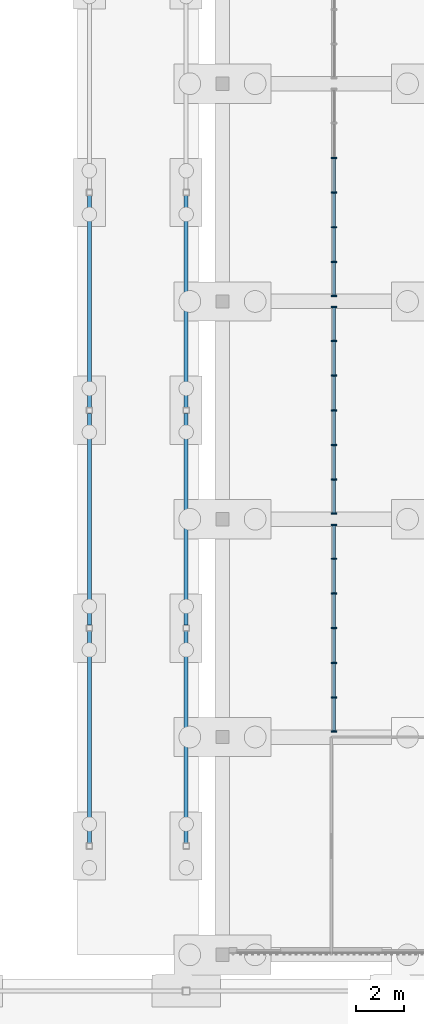
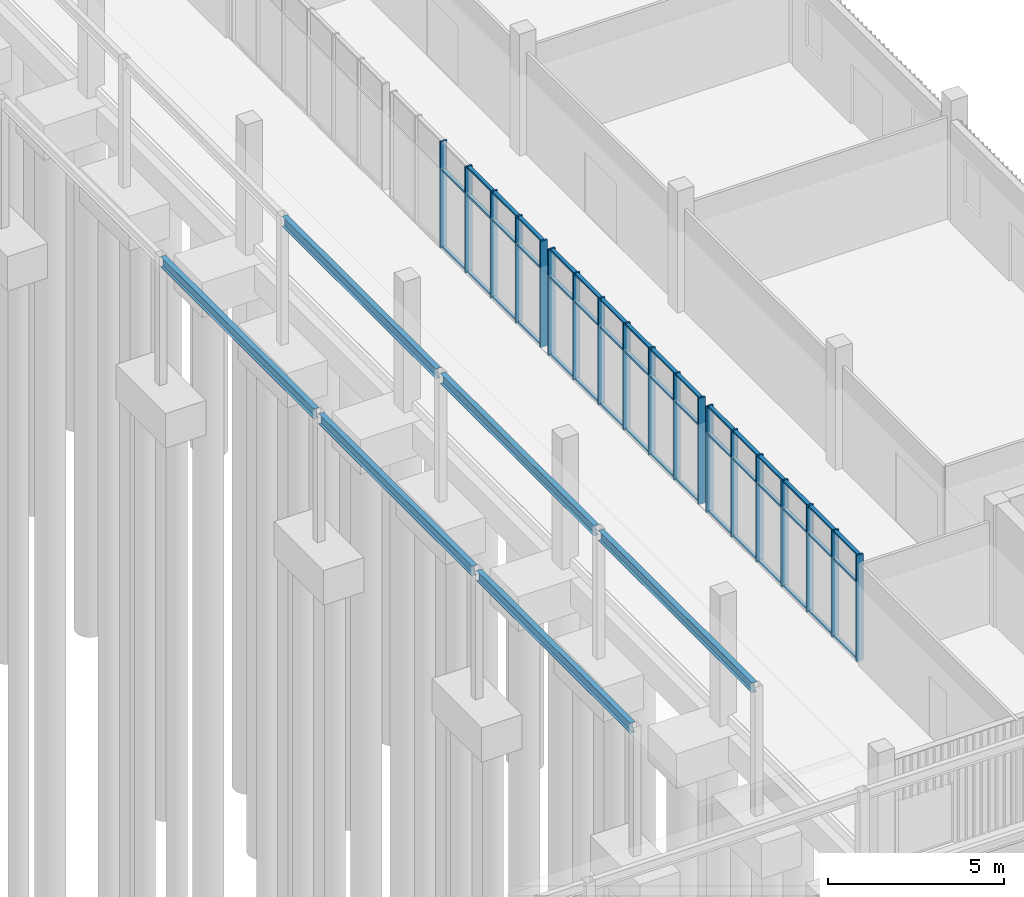
# One storey, part 40 of 106: 66 members, 6 beams, 3 elements without a shape of their own.
"""IFC4 building model written with IfcOpenShell, lengths in metres."""

from ifc_helpers import new_model, si_unit, direction, frame, origin, origin_2d, place, context, subcontext, project, spatial, rectangle, i_section, extrude, material, material_profile, profile_set, type_object, element, aggregate, save


model = new_model("IFC4")

# Units and contexts
model_context = context("Model", 3, precision=1e-05, world=origin(), true_north=direction((0.0, 1.0)))
body_context = subcontext(model_context, "Body", "Model", "MODEL_VIEW")
ifc_project = project(units=[si_unit("LENGTHUNIT", "METRE"), si_unit("AREAUNIT", "SQUARE_METRE"), si_unit("VOLUMEUNIT", "CUBIC_METRE"), si_unit("PLANEANGLEUNIT", "RADIAN"), si_unit("MASSUNIT", "GRAM", prefix="KILO")], contexts=[model_context])

# Site, building, storey
site_placement = place(None, origin())
site = spatial("IfcSite", under=ifc_project, at=site_placement, CompositionType="ELEMENT")
building_placement = place(site_placement, origin())
building = spatial("IfcBuilding", under=site, at=building_placement, Name="Merrow Basin Faculty of Sciences", CompositionType="ELEMENT")
storey_placement = place(building_placement, origin())
storey = spatial("IfcBuildingStorey", under=building, at=storey_placement, Name="L00", CompositionType="ELEMENT", Elevation=0.0)

# Curtain wall, members
ifc_material_1 = material(Name="Aluminium alloy 6063", Category="aluminium")
curtain_wall_type = type_object("IfcCurtainWallType", Name="Arcade curtain wall 220", PredefinedType="NOTDEFINED", material=ifc_material_1)
curtain_wall_1_placement = place(storey_placement, origin())
curtain_wall_1 = element("IfcCurtainWall", 1, at=curtain_wall_1_placement, inside=storey, type_object=curtain_wall_type, Name="Arcade curtain wall L00 1", PredefinedType="NOTDEFINED")
ifc_material_2 = material(Name="Aluminium alloy 6063", Category="aluminium")
ifc_material_profile_1 = material_profile(ifc_material_2, rectangle(XDim=0.219970703125, YDim=0.06005859375, at=origin_2d()))
ifc_profile_set_1 = profile_set([ifc_material_profile_1], Name="Aluminium alloy 6063")
member_type_1 = type_object("IfcMemberType", Name="Aluminium mullion 60x220", PredefinedType="MULLION", material=ifc_profile_set_1)
member_1_placement = place(storey_placement, frame((58.610107421875, 70.22998046875, 0.0), z_axis=(0.0, 0.0, 1.0), x_axis=(-1.0, 0.0, 0.0)))
member_1 = element("IfcMember", 2, at=member_1_placement, type_object=member_type_1, Name="CW9 mullion 1", PredefinedType="MULLION", context=body_context, shape_type="SweptSolid", body=[
    extrude(rectangle(XDim=0.219970703125, YDim=0.06005859375, at=origin_2d()), origin(), (0.0, 0.0, 1.0), 3.699951171875),
])
member_2_placement = place(storey_placement, frame((58.610107421875, 71.63330078125, 0.0), z_axis=(0.0, 0.0, 1.0), x_axis=(-1.0, 0.0, 0.0)))
member_2 = element("IfcMember", 3, at=member_2_placement, type_object=member_type_1, Name="CW9 mullion 2", PredefinedType="MULLION", context=body_context, shape_type="SweptSolid", body=[
    extrude(rectangle(XDim=0.219970703125, YDim=0.06005859375, at=origin_2d()), origin(), (0.0, 0.0, 1.0), 3.699951171875),
])
member_3_placement = place(storey_placement, frame((58.610107421875, 73.066650390625, 0.0), z_axis=(0.0, 0.0, 1.0), x_axis=(-1.0, 0.0, 0.0)))
member_3 = element("IfcMember", 4, at=member_3_placement, type_object=member_type_1, Name="CW9 mullion 3", PredefinedType="MULLION", context=body_context, shape_type="SweptSolid", body=[
    extrude(rectangle(XDim=0.219970703125, YDim=0.06005859375, at=origin_2d()), origin(), (0.0, 0.0, 1.0), 3.699951171875),
])
member_4_placement = place(storey_placement, frame((58.610107421875, 74.5, 0.0), z_axis=(0.0, 0.0, 1.0), x_axis=(-1.0, 0.0, 0.0)))
member_4 = element("IfcMember", 5, at=member_4_placement, type_object=member_type_1, Name="CW9 mullion 4", PredefinedType="MULLION", context=body_context, shape_type="SweptSolid", body=[
    extrude(rectangle(XDim=0.219970703125, YDim=0.06005859375, at=origin_2d()), origin(), (0.0, 0.0, 1.0), 3.699951171875),
])
member_5_placement = place(storey_placement, frame((58.610107421875, 75.933349609375, 0.0), z_axis=(0.0, 0.0, 1.0), x_axis=(-1.0, 0.0, 0.0)))
member_5 = element("IfcMember", 6, at=member_5_placement, type_object=member_type_1, Name="CW9 mullion 5", PredefinedType="MULLION", context=body_context, shape_type="SweptSolid", body=[
    extrude(rectangle(XDim=0.219970703125, YDim=0.06005859375, at=origin_2d()), origin(), (0.0, 0.0, 1.0), 3.699951171875),
])
member_6_placement = place(storey_placement, frame((58.610107421875, 77.36669921875, 0.0), z_axis=(0.0, 0.0, 1.0), x_axis=(-1.0, 0.0, 0.0)))
member_6 = element("IfcMember", 7, at=member_6_placement, type_object=member_type_1, Name="CW9 mullion 6", PredefinedType="MULLION", context=body_context, shape_type="SweptSolid", body=[
    extrude(rectangle(XDim=0.219970703125, YDim=0.06005859375, at=origin_2d()), origin(), (0.0, 0.0, 1.0), 3.699951171875),
])
member_7_placement = place(storey_placement, frame((58.610107421875, 78.77001953125, 0.0), z_axis=(0.0, 0.0, 1.0), x_axis=(-1.0, 0.0, 0.0)))
member_7 = element("IfcMember", 8, at=member_7_placement, type_object=member_type_1, Name="CW9 mullion 7", PredefinedType="MULLION", context=body_context, shape_type="SweptSolid", body=[
    extrude(rectangle(XDim=0.219970703125, YDim=0.06005859375, at=origin_2d()), origin(), (0.0, 0.0, 1.0), 3.699951171875),
])

curtain_wall_2_placement = place(storey_placement, origin())
curtain_wall_2 = element("IfcCurtainWall", 9, at=curtain_wall_2_placement, inside=storey, type_object=curtain_wall_type, Name="Arcade curtain wall L00 2", PredefinedType="NOTDEFINED")
member_8_placement = place(storey_placement, frame((58.610107421875, 79.22998046875, 0.0), z_axis=(0.0, 0.0, 1.0), x_axis=(-1.0, 0.0, 0.0)))
member_8 = element("IfcMember", 10, at=member_8_placement, type_object=member_type_1, Name="CW9 mullion 1", PredefinedType="MULLION", context=body_context, shape_type="SweptSolid", body=[
    extrude(rectangle(XDim=0.219970703125, YDim=0.06005859375, at=origin_2d()), origin(), (0.0, 0.0, 1.0), 3.699951171875),
])
member_9_placement = place(storey_placement, frame((58.610107421875, 80.63330078125, 0.0), z_axis=(0.0, 0.0, 1.0), x_axis=(-1.0, 0.0, 0.0)))
member_9 = element("IfcMember", 11, at=member_9_placement, type_object=member_type_1, Name="CW9 mullion 2", PredefinedType="MULLION", context=body_context, shape_type="SweptSolid", body=[
    extrude(rectangle(XDim=0.219970703125, YDim=0.06005859375, at=origin_2d()), origin(), (0.0, 0.0, 1.0), 3.699951171875),
])
member_10_placement = place(storey_placement, frame((58.610107421875, 82.066650390625, 0.0), z_axis=(0.0, 0.0, 1.0), x_axis=(-1.0, 0.0, 0.0)))
member_10 = element("IfcMember", 12, at=member_10_placement, type_object=member_type_1, Name="CW9 mullion 3", PredefinedType="MULLION", context=body_context, shape_type="SweptSolid", body=[
    extrude(rectangle(XDim=0.219970703125, YDim=0.06005859375, at=origin_2d()), origin(), (0.0, 0.0, 1.0), 3.699951171875),
])
member_11_placement = place(storey_placement, frame((58.610107421875, 83.5, 0.0), z_axis=(0.0, 0.0, 1.0), x_axis=(-1.0, 0.0, 0.0)))
member_11 = element("IfcMember", 13, at=member_11_placement, type_object=member_type_1, Name="CW9 mullion 4", PredefinedType="MULLION", context=body_context, shape_type="SweptSolid", body=[
    extrude(rectangle(XDim=0.219970703125, YDim=0.06005859375, at=origin_2d()), origin(), (0.0, 0.0, 1.0), 3.699951171875),
])
member_12_placement = place(storey_placement, frame((58.610107421875, 84.933349609375, 0.0), z_axis=(0.0, 0.0, 1.0), x_axis=(-1.0, 0.0, 0.0)))
member_12 = element("IfcMember", 14, at=member_12_placement, type_object=member_type_1, Name="CW9 mullion 5", PredefinedType="MULLION", context=body_context, shape_type="SweptSolid", body=[
    extrude(rectangle(XDim=0.219970703125, YDim=0.06005859375, at=origin_2d()), origin(), (0.0, 0.0, 1.0), 3.699951171875),
])
member_13_placement = place(storey_placement, frame((58.610107421875, 86.36669921875, 0.0), z_axis=(0.0, 0.0, 1.0), x_axis=(-1.0, 0.0, 0.0)))
member_13 = element("IfcMember", 15, at=member_13_placement, type_object=member_type_1, Name="CW9 mullion 6", PredefinedType="MULLION", context=body_context, shape_type="SweptSolid", body=[
    extrude(rectangle(XDim=0.219970703125, YDim=0.06005859375, at=origin_2d()), origin(), (0.0, 0.0, 1.0), 3.699951171875),
])
member_14_placement = place(storey_placement, frame((58.610107421875, 87.77001953125, 0.0), z_axis=(0.0, 0.0, 1.0), x_axis=(-1.0, 0.0, 0.0)))
member_14 = element("IfcMember", 16, at=member_14_placement, type_object=member_type_1, Name="CW9 mullion 7", PredefinedType="MULLION", context=body_context, shape_type="SweptSolid", body=[
    extrude(rectangle(XDim=0.219970703125, YDim=0.06005859375, at=origin_2d()), origin(), (0.0, 0.0, 1.0), 3.699951171875),
])

curtain_wall_3_placement = place(storey_placement, origin())
curtain_wall_3 = element("IfcCurtainWall", 17, at=curtain_wall_3_placement, inside=storey, type_object=curtain_wall_type, Name="Arcade curtain wall L00 3", PredefinedType="NOTDEFINED")
member_15_placement = place(storey_placement, frame((58.610107421875, 88.22998046875, 0.0), z_axis=(0.0, 0.0, 1.0), x_axis=(-1.0, 0.0, 0.0)))
member_15 = element("IfcMember", 18, at=member_15_placement, type_object=member_type_1, Name="CW9 mullion 1", PredefinedType="MULLION", context=body_context, shape_type="SweptSolid", body=[
    extrude(rectangle(XDim=0.219970703125, YDim=0.06005859375, at=origin_2d()), origin(), (0.0, 0.0, 1.0), 3.699951171875),
])
member_16_placement = place(storey_placement, frame((58.610107421875, 89.63330078125, 0.0), z_axis=(0.0, 0.0, 1.0), x_axis=(-1.0, 0.0, 0.0)))
member_16 = element("IfcMember", 19, at=member_16_placement, type_object=member_type_1, Name="CW9 mullion 2", PredefinedType="MULLION", context=body_context, shape_type="SweptSolid", body=[
    extrude(rectangle(XDim=0.219970703125, YDim=0.06005859375, at=origin_2d()), origin(), (0.0, 0.0, 1.0), 3.699951171875),
])
member_17_placement = place(storey_placement, frame((58.610107421875, 91.066650390625, 0.0), z_axis=(0.0, 0.0, 1.0), x_axis=(-1.0, 0.0, 0.0)))
member_17 = element("IfcMember", 20, at=member_17_placement, type_object=member_type_1, Name="CW9 mullion 3", PredefinedType="MULLION", context=body_context, shape_type="SweptSolid", body=[
    extrude(rectangle(XDim=0.219970703125, YDim=0.06005859375, at=origin_2d()), origin(), (0.0, 0.0, 1.0), 3.699951171875),
])
member_18_placement = place(storey_placement, frame((58.610107421875, 92.5, 0.0), z_axis=(0.0, 0.0, 1.0), x_axis=(-1.0, 0.0, 0.0)))
member_18 = element("IfcMember", 21, at=member_18_placement, type_object=member_type_1, Name="CW9 mullion 4", PredefinedType="MULLION", context=body_context, shape_type="SweptSolid", body=[
    extrude(rectangle(XDim=0.219970703125, YDim=0.06005859375, at=origin_2d()), origin(), (0.0, 0.0, 1.0), 3.699951171875),
])
member_19_placement = place(storey_placement, frame((58.610107421875, 93.933349609375, 0.0), z_axis=(0.0, 0.0, 1.0), x_axis=(-1.0, 0.0, 0.0)))
member_19 = element("IfcMember", 22, at=member_19_placement, type_object=member_type_1, Name="CW9 mullion 5", PredefinedType="MULLION", context=body_context, shape_type="SweptSolid", body=[
    extrude(rectangle(XDim=0.219970703125, YDim=0.06005859375, at=origin_2d()), origin(), (0.0, 0.0, 1.0), 3.699951171875),
])

# Member
ifc_material_3 = material(Name="Aluminium alloy 6063", Category="aluminium")
ifc_material_profile_2 = material_profile(ifc_material_3, rectangle(XDim=0.1201171875, YDim=0.06005859375, at=origin_2d()))
ifc_profile_set_2 = profile_set([ifc_material_profile_2], Name="Aluminium alloy 6063")
member_type_2 = type_object("IfcMemberType", Name="Aluminium transom 60x120", PredefinedType="USERDEFINED", material=ifc_profile_set_2)
member_20_placement = place(storey_placement, frame((58.610107421875, 70.260009765625, 0.030029296875), z_axis=(0.0, 1.0, 0.0), x_axis=(-1.0, 0.0, 0.0)))
member_20 = element("IfcMember", 23, at=member_20_placement, type_object=member_type_2, Name="CW9 transom 1.1", ObjectType="TRANSOM", PredefinedType="USERDEFINED", context=body_context, shape_type="SweptSolid", body=[
    extrude(rectangle(XDim=0.1201171875, YDim=0.06005859375, at=origin_2d()), origin(), (0.0, 0.0, 1.0), 1.34326171875),
])

member_21_placement = place(storey_placement, frame((58.610107421875, 70.260009765625, 2.699951171875), z_axis=(0.0, 1.0, 0.0), x_axis=(-1.0, 0.0, 0.0)))
member_21 = element("IfcMember", 24, at=member_21_placement, type_object=member_type_2, Name="CW9 transom 1.2", ObjectType="TRANSOM", PredefinedType="USERDEFINED", context=body_context, shape_type="SweptSolid", body=[
    extrude(rectangle(XDim=0.1201171875, YDim=0.06005859375, at=origin_2d()), origin(), (0.0, 0.0, 1.0), 1.34326171875),
])

member_22_placement = place(storey_placement, frame((58.610107421875, 70.260009765625, 3.669921875), z_axis=(0.0, 1.0, 0.0), x_axis=(-1.0, 0.0, 0.0)))
member_22 = element("IfcMember", 25, at=member_22_placement, type_object=member_type_2, Name="CW9 transom 1.3", ObjectType="TRANSOM", PredefinedType="USERDEFINED", context=body_context, shape_type="SweptSolid", body=[
    extrude(rectangle(XDim=0.1201171875, YDim=0.06005859375, at=origin_2d()), origin(), (0.0, 0.0, 1.0), 1.34326171875),
])

member_23_placement = place(storey_placement, frame((58.610107421875, 71.663330078125, 0.030029296875), z_axis=(0.0, 1.0, 0.0), x_axis=(-1.0, 0.0, 0.0)))
member_23 = element("IfcMember", 26, at=member_23_placement, type_object=member_type_2, Name="CW9 transom 2.1", ObjectType="TRANSOM", PredefinedType="USERDEFINED", context=body_context, shape_type="SweptSolid", body=[
    extrude(rectangle(XDim=0.1201171875, YDim=0.06005859375, at=origin_2d()), origin(), (0.0, 0.0, 1.0), 1.373291015625),
])

member_24_placement = place(storey_placement, frame((58.610107421875, 71.663330078125, 2.699951171875), z_axis=(0.0, 1.0, 0.0), x_axis=(-1.0, 0.0, 0.0)))
member_24 = element("IfcMember", 27, at=member_24_placement, type_object=member_type_2, Name="CW9 transom 2.2", ObjectType="TRANSOM", PredefinedType="USERDEFINED", context=body_context, shape_type="SweptSolid", body=[
    extrude(rectangle(XDim=0.1201171875, YDim=0.06005859375, at=origin_2d()), origin(), (0.0, 0.0, 1.0), 1.373291015625),
])

member_25_placement = place(storey_placement, frame((58.610107421875, 71.663330078125, 3.669921875), z_axis=(0.0, 1.0, 0.0), x_axis=(-1.0, 0.0, 0.0)))
member_25 = element("IfcMember", 28, at=member_25_placement, type_object=member_type_2, Name="CW9 transom 2.3", ObjectType="TRANSOM", PredefinedType="USERDEFINED", context=body_context, shape_type="SweptSolid", body=[
    extrude(rectangle(XDim=0.1201171875, YDim=0.06005859375, at=origin_2d()), origin(), (0.0, 0.0, 1.0), 1.373291015625),
])

member_26_placement = place(storey_placement, frame((58.610107421875, 73.0966796875, 0.030029296875), z_axis=(0.0, 1.0, 0.0), x_axis=(-1.0, 0.0, 0.0)))
member_26 = element("IfcMember", 29, at=member_26_placement, type_object=member_type_2, Name="CW9 transom 3.1", ObjectType="TRANSOM", PredefinedType="USERDEFINED", context=body_context, shape_type="SweptSolid", body=[
    extrude(rectangle(XDim=0.1201171875, YDim=0.06005859375, at=origin_2d()), origin(), (0.0, 0.0, 1.0), 1.373291015625),
])

member_27_placement = place(storey_placement, frame((58.610107421875, 73.0966796875, 2.699951171875), z_axis=(0.0, 1.0, 0.0), x_axis=(-1.0, 0.0, 0.0)))
member_27 = element("IfcMember", 30, at=member_27_placement, type_object=member_type_2, Name="CW9 transom 3.2", ObjectType="TRANSOM", PredefinedType="USERDEFINED", context=body_context, shape_type="SweptSolid", body=[
    extrude(rectangle(XDim=0.1201171875, YDim=0.06005859375, at=origin_2d()), origin(), (0.0, 0.0, 1.0), 1.373291015625),
])

member_28_placement = place(storey_placement, frame((58.610107421875, 73.0966796875, 3.669921875), z_axis=(0.0, 1.0, 0.0), x_axis=(-1.0, 0.0, 0.0)))
member_28 = element("IfcMember", 31, at=member_28_placement, type_object=member_type_2, Name="CW9 transom 3.3", ObjectType="TRANSOM", PredefinedType="USERDEFINED", context=body_context, shape_type="SweptSolid", body=[
    extrude(rectangle(XDim=0.1201171875, YDim=0.06005859375, at=origin_2d()), origin(), (0.0, 0.0, 1.0), 1.373291015625),
])

member_29_placement = place(storey_placement, frame((58.610107421875, 74.530029296875, 0.030029296875), z_axis=(0.0, 1.0, 0.0), x_axis=(-1.0, 0.0, 0.0)))
member_29 = element("IfcMember", 32, at=member_29_placement, type_object=member_type_2, Name="CW9 transom 4.1", ObjectType="TRANSOM", PredefinedType="USERDEFINED", context=body_context, shape_type="SweptSolid", body=[
    extrude(rectangle(XDim=0.1201171875, YDim=0.06005859375, at=origin_2d()), origin(), (0.0, 0.0, 1.0), 1.373291015625),
])

member_30_placement = place(storey_placement, frame((58.610107421875, 74.530029296875, 2.699951171875), z_axis=(0.0, 1.0, 0.0), x_axis=(-1.0, 0.0, 0.0)))
member_30 = element("IfcMember", 33, at=member_30_placement, type_object=member_type_2, Name="CW9 transom 4.2", ObjectType="TRANSOM", PredefinedType="USERDEFINED", context=body_context, shape_type="SweptSolid", body=[
    extrude(rectangle(XDim=0.1201171875, YDim=0.06005859375, at=origin_2d()), origin(), (0.0, 0.0, 1.0), 1.373291015625),
])

member_31_placement = place(storey_placement, frame((58.610107421875, 74.530029296875, 3.669921875), z_axis=(0.0, 1.0, 0.0), x_axis=(-1.0, 0.0, 0.0)))
member_31 = element("IfcMember", 34, at=member_31_placement, type_object=member_type_2, Name="CW9 transom 4.3", ObjectType="TRANSOM", PredefinedType="USERDEFINED", context=body_context, shape_type="SweptSolid", body=[
    extrude(rectangle(XDim=0.1201171875, YDim=0.06005859375, at=origin_2d()), origin(), (0.0, 0.0, 1.0), 1.373291015625),
])

member_32_placement = place(storey_placement, frame((58.610107421875, 75.96337890625, 0.030029296875), z_axis=(0.0, 1.0, 0.0), x_axis=(-1.0, 0.0, 0.0)))
member_32 = element("IfcMember", 35, at=member_32_placement, type_object=member_type_2, Name="CW9 transom 5.1", ObjectType="TRANSOM", PredefinedType="USERDEFINED", context=body_context, shape_type="SweptSolid", body=[
    extrude(rectangle(XDim=0.1201171875, YDim=0.06005859375, at=origin_2d()), origin(), (0.0, 0.0, 1.0), 1.373291015625),
])

member_33_placement = place(storey_placement, frame((58.610107421875, 75.96337890625, 2.699951171875), z_axis=(0.0, 1.0, 0.0), x_axis=(-1.0, 0.0, 0.0)))
member_33 = element("IfcMember", 36, at=member_33_placement, type_object=member_type_2, Name="CW9 transom 5.2", ObjectType="TRANSOM", PredefinedType="USERDEFINED", context=body_context, shape_type="SweptSolid", body=[
    extrude(rectangle(XDim=0.1201171875, YDim=0.06005859375, at=origin_2d()), origin(), (0.0, 0.0, 1.0), 1.373291015625),
])

member_34_placement = place(storey_placement, frame((58.610107421875, 75.96337890625, 3.669921875), z_axis=(0.0, 1.0, 0.0), x_axis=(-1.0, 0.0, 0.0)))
member_34 = element("IfcMember", 37, at=member_34_placement, type_object=member_type_2, Name="CW9 transom 5.3", ObjectType="TRANSOM", PredefinedType="USERDEFINED", context=body_context, shape_type="SweptSolid", body=[
    extrude(rectangle(XDim=0.1201171875, YDim=0.06005859375, at=origin_2d()), origin(), (0.0, 0.0, 1.0), 1.373291015625),
])

member_35_placement = place(storey_placement, frame((58.610107421875, 77.396728515625, 0.030029296875), z_axis=(0.0, 1.0, 0.0), x_axis=(-1.0, 0.0, 0.0)))
member_35 = element("IfcMember", 38, at=member_35_placement, type_object=member_type_2, Name="CW9 transom 6.1", ObjectType="TRANSOM", PredefinedType="USERDEFINED", context=body_context, shape_type="SweptSolid", body=[
    extrude(rectangle(XDim=0.1201171875, YDim=0.06005859375, at=origin_2d()), origin(), (0.0, 0.0, 1.0), 1.34326171875),
])

member_36_placement = place(storey_placement, frame((58.610107421875, 77.396728515625, 2.699951171875), z_axis=(0.0, 1.0, 0.0), x_axis=(-1.0, 0.0, 0.0)))
member_36 = element("IfcMember", 39, at=member_36_placement, type_object=member_type_2, Name="CW9 transom 6.2", ObjectType="TRANSOM", PredefinedType="USERDEFINED", context=body_context, shape_type="SweptSolid", body=[
    extrude(rectangle(XDim=0.1201171875, YDim=0.06005859375, at=origin_2d()), origin(), (0.0, 0.0, 1.0), 1.34326171875),
])

member_37_placement = place(storey_placement, frame((58.610107421875, 77.396728515625, 3.669921875), z_axis=(0.0, 1.0, 0.0), x_axis=(-1.0, 0.0, 0.0)))
member_37 = element("IfcMember", 40, at=member_37_placement, type_object=member_type_2, Name="CW9 transom 6.3", ObjectType="TRANSOM", PredefinedType="USERDEFINED", context=body_context, shape_type="SweptSolid", body=[
    extrude(rectangle(XDim=0.1201171875, YDim=0.06005859375, at=origin_2d()), origin(), (0.0, 0.0, 1.0), 1.34326171875),
])

aggregate(curtain_wall_1, [member_1, member_2, member_3, member_4, member_5, member_6, member_7, member_20, member_21, member_22, member_23, member_24, member_25, member_26, member_27, member_28, member_29, member_30, member_31, member_32, member_33, member_34, member_35, member_36, member_37])

member_38_placement = place(storey_placement, frame((58.610107421875, 79.260009765625, 0.030029296875), z_axis=(0.0, 1.0, 0.0), x_axis=(-1.0, 0.0, 0.0)))
member_38 = element("IfcMember", 41, at=member_38_placement, type_object=member_type_2, Name="CW9 transom 1.1", ObjectType="TRANSOM", PredefinedType="USERDEFINED", context=body_context, shape_type="SweptSolid", body=[
    extrude(rectangle(XDim=0.1201171875, YDim=0.06005859375, at=origin_2d()), origin(), (0.0, 0.0, 1.0), 1.34326171875),
])

member_39_placement = place(storey_placement, frame((58.610107421875, 79.260009765625, 2.699951171875), z_axis=(0.0, 1.0, 0.0), x_axis=(-1.0, 0.0, 0.0)))
member_39 = element("IfcMember", 42, at=member_39_placement, type_object=member_type_2, Name="CW9 transom 1.2", ObjectType="TRANSOM", PredefinedType="USERDEFINED", context=body_context, shape_type="SweptSolid", body=[
    extrude(rectangle(XDim=0.1201171875, YDim=0.06005859375, at=origin_2d()), origin(), (0.0, 0.0, 1.0), 1.34326171875),
])

member_40_placement = place(storey_placement, frame((58.610107421875, 79.260009765625, 3.669921875), z_axis=(0.0, 1.0, 0.0), x_axis=(-1.0, 0.0, 0.0)))
member_40 = element("IfcMember", 43, at=member_40_placement, type_object=member_type_2, Name="CW9 transom 1.3", ObjectType="TRANSOM", PredefinedType="USERDEFINED", context=body_context, shape_type="SweptSolid", body=[
    extrude(rectangle(XDim=0.1201171875, YDim=0.06005859375, at=origin_2d()), origin(), (0.0, 0.0, 1.0), 1.34326171875),
])

member_41_placement = place(storey_placement, frame((58.610107421875, 80.663330078125, 0.030029296875), z_axis=(0.0, 1.0, 0.0), x_axis=(-1.0, 0.0, 0.0)))
member_41 = element("IfcMember", 44, at=member_41_placement, type_object=member_type_2, Name="CW9 transom 2.1", ObjectType="TRANSOM", PredefinedType="USERDEFINED", context=body_context, shape_type="SweptSolid", body=[
    extrude(rectangle(XDim=0.1201171875, YDim=0.06005859375, at=origin_2d()), origin(), (0.0, 0.0, 1.0), 1.373291015625),
])

member_42_placement = place(storey_placement, frame((58.610107421875, 80.663330078125, 2.699951171875), z_axis=(0.0, 1.0, 0.0), x_axis=(-1.0, 0.0, 0.0)))
member_42 = element("IfcMember", 45, at=member_42_placement, type_object=member_type_2, Name="CW9 transom 2.2", ObjectType="TRANSOM", PredefinedType="USERDEFINED", context=body_context, shape_type="SweptSolid", body=[
    extrude(rectangle(XDim=0.1201171875, YDim=0.06005859375, at=origin_2d()), origin(), (0.0, 0.0, 1.0), 1.373291015625),
])

member_43_placement = place(storey_placement, frame((58.610107421875, 80.663330078125, 3.669921875), z_axis=(0.0, 1.0, 0.0), x_axis=(-1.0, 0.0, 0.0)))
member_43 = element("IfcMember", 46, at=member_43_placement, type_object=member_type_2, Name="CW9 transom 2.3", ObjectType="TRANSOM", PredefinedType="USERDEFINED", context=body_context, shape_type="SweptSolid", body=[
    extrude(rectangle(XDim=0.1201171875, YDim=0.06005859375, at=origin_2d()), origin(), (0.0, 0.0, 1.0), 1.373291015625),
])

member_44_placement = place(storey_placement, frame((58.610107421875, 82.0966796875, 0.030029296875), z_axis=(0.0, 1.0, 0.0), x_axis=(-1.0, 0.0, 0.0)))
member_44 = element("IfcMember", 47, at=member_44_placement, type_object=member_type_2, Name="CW9 transom 3.1", ObjectType="TRANSOM", PredefinedType="USERDEFINED", context=body_context, shape_type="SweptSolid", body=[
    extrude(rectangle(XDim=0.1201171875, YDim=0.06005859375, at=origin_2d()), origin(), (0.0, 0.0, 1.0), 1.373291015625),
])

member_45_placement = place(storey_placement, frame((58.610107421875, 82.0966796875, 2.699951171875), z_axis=(0.0, 1.0, 0.0), x_axis=(-1.0, 0.0, 0.0)))
member_45 = element("IfcMember", 48, at=member_45_placement, type_object=member_type_2, Name="CW9 transom 3.2", ObjectType="TRANSOM", PredefinedType="USERDEFINED", context=body_context, shape_type="SweptSolid", body=[
    extrude(rectangle(XDim=0.1201171875, YDim=0.06005859375, at=origin_2d()), origin(), (0.0, 0.0, 1.0), 1.373291015625),
])

member_46_placement = place(storey_placement, frame((58.610107421875, 82.0966796875, 3.669921875), z_axis=(0.0, 1.0, 0.0), x_axis=(-1.0, 0.0, 0.0)))
member_46 = element("IfcMember", 49, at=member_46_placement, type_object=member_type_2, Name="CW9 transom 3.3", ObjectType="TRANSOM", PredefinedType="USERDEFINED", context=body_context, shape_type="SweptSolid", body=[
    extrude(rectangle(XDim=0.1201171875, YDim=0.06005859375, at=origin_2d()), origin(), (0.0, 0.0, 1.0), 1.373291015625),
])

member_47_placement = place(storey_placement, frame((58.610107421875, 83.530029296875, 0.030029296875), z_axis=(0.0, 1.0, 0.0), x_axis=(-1.0, 0.0, 0.0)))
member_47 = element("IfcMember", 50, at=member_47_placement, type_object=member_type_2, Name="CW9 transom 4.1", ObjectType="TRANSOM", PredefinedType="USERDEFINED", context=body_context, shape_type="SweptSolid", body=[
    extrude(rectangle(XDim=0.1201171875, YDim=0.06005859375, at=origin_2d()), origin(), (0.0, 0.0, 1.0), 1.373291015625),
])

member_48_placement = place(storey_placement, frame((58.610107421875, 83.530029296875, 2.699951171875), z_axis=(0.0, 1.0, 0.0), x_axis=(-1.0, 0.0, 0.0)))
member_48 = element("IfcMember", 51, at=member_48_placement, type_object=member_type_2, Name="CW9 transom 4.2", ObjectType="TRANSOM", PredefinedType="USERDEFINED", context=body_context, shape_type="SweptSolid", body=[
    extrude(rectangle(XDim=0.1201171875, YDim=0.06005859375, at=origin_2d()), origin(), (0.0, 0.0, 1.0), 1.373291015625),
])

member_49_placement = place(storey_placement, frame((58.610107421875, 83.530029296875, 3.669921875), z_axis=(0.0, 1.0, 0.0), x_axis=(-1.0, 0.0, 0.0)))
member_49 = element("IfcMember", 52, at=member_49_placement, type_object=member_type_2, Name="CW9 transom 4.3", ObjectType="TRANSOM", PredefinedType="USERDEFINED", context=body_context, shape_type="SweptSolid", body=[
    extrude(rectangle(XDim=0.1201171875, YDim=0.06005859375, at=origin_2d()), origin(), (0.0, 0.0, 1.0), 1.373291015625),
])

member_50_placement = place(storey_placement, frame((58.610107421875, 84.96337890625, 0.030029296875), z_axis=(0.0, 1.0, 0.0), x_axis=(-1.0, 0.0, 0.0)))
member_50 = element("IfcMember", 53, at=member_50_placement, type_object=member_type_2, Name="CW9 transom 5.1", ObjectType="TRANSOM", PredefinedType="USERDEFINED", context=body_context, shape_type="SweptSolid", body=[
    extrude(rectangle(XDim=0.1201171875, YDim=0.06005859375, at=origin_2d()), origin(), (0.0, 0.0, 1.0), 1.373291015625),
])

member_51_placement = place(storey_placement, frame((58.610107421875, 84.96337890625, 2.699951171875), z_axis=(0.0, 1.0, 0.0), x_axis=(-1.0, 0.0, 0.0)))
member_51 = element("IfcMember", 54, at=member_51_placement, type_object=member_type_2, Name="CW9 transom 5.2", ObjectType="TRANSOM", PredefinedType="USERDEFINED", context=body_context, shape_type="SweptSolid", body=[
    extrude(rectangle(XDim=0.1201171875, YDim=0.06005859375, at=origin_2d()), origin(), (0.0, 0.0, 1.0), 1.373291015625),
])

member_52_placement = place(storey_placement, frame((58.610107421875, 84.96337890625, 3.669921875), z_axis=(0.0, 1.0, 0.0), x_axis=(-1.0, 0.0, 0.0)))
member_52 = element("IfcMember", 55, at=member_52_placement, type_object=member_type_2, Name="CW9 transom 5.3", ObjectType="TRANSOM", PredefinedType="USERDEFINED", context=body_context, shape_type="SweptSolid", body=[
    extrude(rectangle(XDim=0.1201171875, YDim=0.06005859375, at=origin_2d()), origin(), (0.0, 0.0, 1.0), 1.373291015625),
])

member_53_placement = place(storey_placement, frame((58.610107421875, 86.396728515625, 0.030029296875), z_axis=(0.0, 1.0, 0.0), x_axis=(-1.0, 0.0, 0.0)))
member_53 = element("IfcMember", 56, at=member_53_placement, type_object=member_type_2, Name="CW9 transom 6.1", ObjectType="TRANSOM", PredefinedType="USERDEFINED", context=body_context, shape_type="SweptSolid", body=[
    extrude(rectangle(XDim=0.1201171875, YDim=0.06005859375, at=origin_2d()), origin(), (0.0, 0.0, 1.0), 1.34326171875),
])

member_54_placement = place(storey_placement, frame((58.610107421875, 86.396728515625, 2.699951171875), z_axis=(0.0, 1.0, 0.0), x_axis=(-1.0, 0.0, 0.0)))
member_54 = element("IfcMember", 57, at=member_54_placement, type_object=member_type_2, Name="CW9 transom 6.2", ObjectType="TRANSOM", PredefinedType="USERDEFINED", context=body_context, shape_type="SweptSolid", body=[
    extrude(rectangle(XDim=0.1201171875, YDim=0.06005859375, at=origin_2d()), origin(), (0.0, 0.0, 1.0), 1.34326171875),
])

member_55_placement = place(storey_placement, frame((58.610107421875, 86.396728515625, 3.669921875), z_axis=(0.0, 1.0, 0.0), x_axis=(-1.0, 0.0, 0.0)))
member_55 = element("IfcMember", 58, at=member_55_placement, type_object=member_type_2, Name="CW9 transom 6.3", ObjectType="TRANSOM", PredefinedType="USERDEFINED", context=body_context, shape_type="SweptSolid", body=[
    extrude(rectangle(XDim=0.1201171875, YDim=0.06005859375, at=origin_2d()), origin(), (0.0, 0.0, 1.0), 1.34326171875),
])

aggregate(curtain_wall_2, [member_8, member_9, member_10, member_11, member_12, member_13, member_14, member_38, member_39, member_40, member_41, member_42, member_43, member_44, member_45, member_46, member_47, member_48, member_49, member_50, member_51, member_52, member_53, member_54, member_55])

member_56_placement = place(storey_placement, frame((58.610107421875, 88.260009765625, 0.030029296875), z_axis=(0.0, 1.0, 0.0), x_axis=(-1.0, 0.0, 0.0)))
member_56 = element("IfcMember", 59, at=member_56_placement, type_object=member_type_2, Name="CW9 transom 1.1", ObjectType="TRANSOM", PredefinedType="USERDEFINED", context=body_context, shape_type="SweptSolid", body=[
    extrude(rectangle(XDim=0.1201171875, YDim=0.06005859375, at=origin_2d()), origin(), (0.0, 0.0, 1.0), 1.34326171875),
])

member_57_placement = place(storey_placement, frame((58.610107421875, 88.260009765625, 2.699951171875), z_axis=(0.0, 1.0, 0.0), x_axis=(-1.0, 0.0, 0.0)))
member_57 = element("IfcMember", 60, at=member_57_placement, type_object=member_type_2, Name="CW9 transom 1.2", ObjectType="TRANSOM", PredefinedType="USERDEFINED", context=body_context, shape_type="SweptSolid", body=[
    extrude(rectangle(XDim=0.1201171875, YDim=0.06005859375, at=origin_2d()), origin(), (0.0, 0.0, 1.0), 1.34326171875),
])

member_58_placement = place(storey_placement, frame((58.610107421875, 88.260009765625, 3.669921875), z_axis=(0.0, 1.0, 0.0), x_axis=(-1.0, 0.0, 0.0)))
member_58 = element("IfcMember", 61, at=member_58_placement, type_object=member_type_2, Name="CW9 transom 1.3", ObjectType="TRANSOM", PredefinedType="USERDEFINED", context=body_context, shape_type="SweptSolid", body=[
    extrude(rectangle(XDim=0.1201171875, YDim=0.06005859375, at=origin_2d()), origin(), (0.0, 0.0, 1.0), 1.34326171875),
])

member_59_placement = place(storey_placement, frame((58.610107421875, 89.663330078125, 0.030029296875), z_axis=(0.0, 1.0, 0.0), x_axis=(-1.0, 0.0, 0.0)))
member_59 = element("IfcMember", 62, at=member_59_placement, type_object=member_type_2, Name="CW9 transom 2.1", ObjectType="TRANSOM", PredefinedType="USERDEFINED", context=body_context, shape_type="SweptSolid", body=[
    extrude(rectangle(XDim=0.1201171875, YDim=0.06005859375, at=origin_2d()), origin(), (0.0, 0.0, 1.0), 1.373291015625),
])

member_60_placement = place(storey_placement, frame((58.610107421875, 89.663330078125, 2.699951171875), z_axis=(0.0, 1.0, 0.0), x_axis=(-1.0, 0.0, 0.0)))
member_60 = element("IfcMember", 63, at=member_60_placement, type_object=member_type_2, Name="CW9 transom 2.2", ObjectType="TRANSOM", PredefinedType="USERDEFINED", context=body_context, shape_type="SweptSolid", body=[
    extrude(rectangle(XDim=0.1201171875, YDim=0.06005859375, at=origin_2d()), origin(), (0.0, 0.0, 1.0), 1.373291015625),
])

member_61_placement = place(storey_placement, frame((58.610107421875, 89.663330078125, 3.669921875), z_axis=(0.0, 1.0, 0.0), x_axis=(-1.0, 0.0, 0.0)))
member_61 = element("IfcMember", 64, at=member_61_placement, type_object=member_type_2, Name="CW9 transom 2.3", ObjectType="TRANSOM", PredefinedType="USERDEFINED", context=body_context, shape_type="SweptSolid", body=[
    extrude(rectangle(XDim=0.1201171875, YDim=0.06005859375, at=origin_2d()), origin(), (0.0, 0.0, 1.0), 1.373291015625),
])

member_62_placement = place(storey_placement, frame((58.610107421875, 91.0966796875, 0.030029296875), z_axis=(0.0, 1.0, 0.0), x_axis=(-1.0, 0.0, 0.0)))
member_62 = element("IfcMember", 65, at=member_62_placement, type_object=member_type_2, Name="CW9 transom 3.1", ObjectType="TRANSOM", PredefinedType="USERDEFINED", context=body_context, shape_type="SweptSolid", body=[
    extrude(rectangle(XDim=0.1201171875, YDim=0.06005859375, at=origin_2d()), origin(), (0.0, 0.0, 1.0), 1.373291015625),
])

member_63_placement = place(storey_placement, frame((58.610107421875, 91.0966796875, 2.699951171875), z_axis=(0.0, 1.0, 0.0), x_axis=(-1.0, 0.0, 0.0)))
member_63 = element("IfcMember", 66, at=member_63_placement, type_object=member_type_2, Name="CW9 transom 3.2", ObjectType="TRANSOM", PredefinedType="USERDEFINED", context=body_context, shape_type="SweptSolid", body=[
    extrude(rectangle(XDim=0.1201171875, YDim=0.06005859375, at=origin_2d()), origin(), (0.0, 0.0, 1.0), 1.373291015625),
])

member_64_placement = place(storey_placement, frame((58.610107421875, 91.0966796875, 3.669921875), z_axis=(0.0, 1.0, 0.0), x_axis=(-1.0, 0.0, 0.0)))
member_64 = element("IfcMember", 67, at=member_64_placement, type_object=member_type_2, Name="CW9 transom 3.3", ObjectType="TRANSOM", PredefinedType="USERDEFINED", context=body_context, shape_type="SweptSolid", body=[
    extrude(rectangle(XDim=0.1201171875, YDim=0.06005859375, at=origin_2d()), origin(), (0.0, 0.0, 1.0), 1.373291015625),
])

member_65_placement = place(storey_placement, frame((58.610107421875, 92.530029296875, 0.030029296875), z_axis=(0.0, 1.0, 0.0), x_axis=(-1.0, 0.0, 0.0)))
member_65 = element("IfcMember", 68, at=member_65_placement, type_object=member_type_2, Name="CW9 transom 4.1", ObjectType="TRANSOM", PredefinedType="USERDEFINED", context=body_context, shape_type="SweptSolid", body=[
    extrude(rectangle(XDim=0.1201171875, YDim=0.06005859375, at=origin_2d()), origin(), (0.0, 0.0, 1.0), 1.373291015625),
])

member_66_placement = place(storey_placement, frame((58.610107421875, 92.530029296875, 2.699951171875), z_axis=(0.0, 1.0, 0.0), x_axis=(-1.0, 0.0, 0.0)))
member_66 = element("IfcMember", 69, at=member_66_placement, type_object=member_type_2, Name="CW9 transom 4.2", ObjectType="TRANSOM", PredefinedType="USERDEFINED", context=body_context, shape_type="SweptSolid", body=[
    extrude(rectangle(XDim=0.1201171875, YDim=0.06005859375, at=origin_2d()), origin(), (0.0, 0.0, 1.0), 1.373291015625),
])

aggregate(curtain_wall_3, [member_15, member_16, member_17, member_18, member_19, member_56, member_57, member_58, member_59, member_60, member_61, member_62, member_63, member_64, member_65, member_66])

# Beams
ifc_material_4 = material(Name="Steel ASTM A992", Category="steel")
ifc_material_profile_3 = material_profile(ifc_material_4, i_section(OverallWidth=0.1708984375, OverallDepth=0.35498046875, WebThickness=0.007080078125, FlangeThickness=0.01171875, at=origin_2d()))
ifc_profile_set_3 = profile_set([ifc_material_profile_3], Name="Steel ASTM A992")
beam_type = type_object("IfcBeamType", Name="Canopy beam W360x51", PredefinedType="BEAM", material=ifc_profile_set_3)
for number, where, z_axis, x_axis, name in (
    (70, (48.5, 65.626953125, 4.001953125), (0.0, 1.0, 0.0), (-1.0, 0.0, 0.0), "CB1 L00 027"),
    (71, (48.5, 74.626953125, 4.001953125), (0.0, 1.0, 0.0), (-1.0, 0.0, 0.0), "CB1 L00 028"),
    (72, (48.5, 83.626953125, 4.001953125), (0.0, 1.0, 0.0), (-1.0, 0.0, 0.0), "CB1 L00 029"),
    (73, (52.5, 65.626953125, 4.001953125), (0.0, 1.0, 0.0), (-1.0, 0.0, 0.0), "CB1 L00 032"),
    (74, (52.5, 74.626953125, 4.001953125), (0.0, 1.0, 0.0), (-1.0, 0.0, 0.0), "CB1 L00 033"),
    (75, (52.5, 83.626953125, 4.001953125), (0.0, 1.0, 0.0), (-1.0, 0.0, 0.0), "CB1 L00 034"),
):
    element("IfcBeam", number, at=place(storey_placement, frame(where, z_axis=z_axis, x_axis=x_axis)), inside=storey, type_object=beam_type, Name=name, PredefinedType="BEAM", context=body_context, shape_type="SweptSolid", body=[
        extrude(i_section(OverallWidth=0.1708984375, OverallDepth=0.35498046875, WebThickness=0.007080078125, FlangeThickness=0.01171875, at=origin_2d()), origin(), (0.0, 0.0, 1.0), 8.74609375),
    ])

save(model, "model.ifc")
